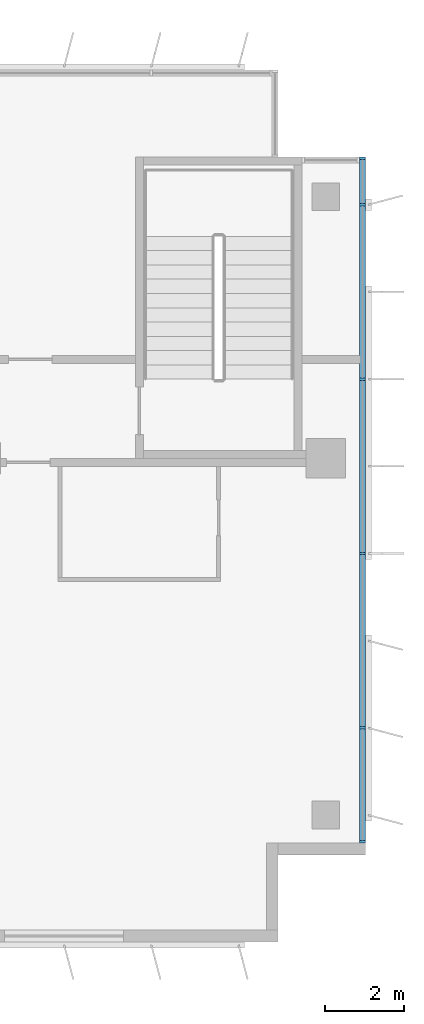
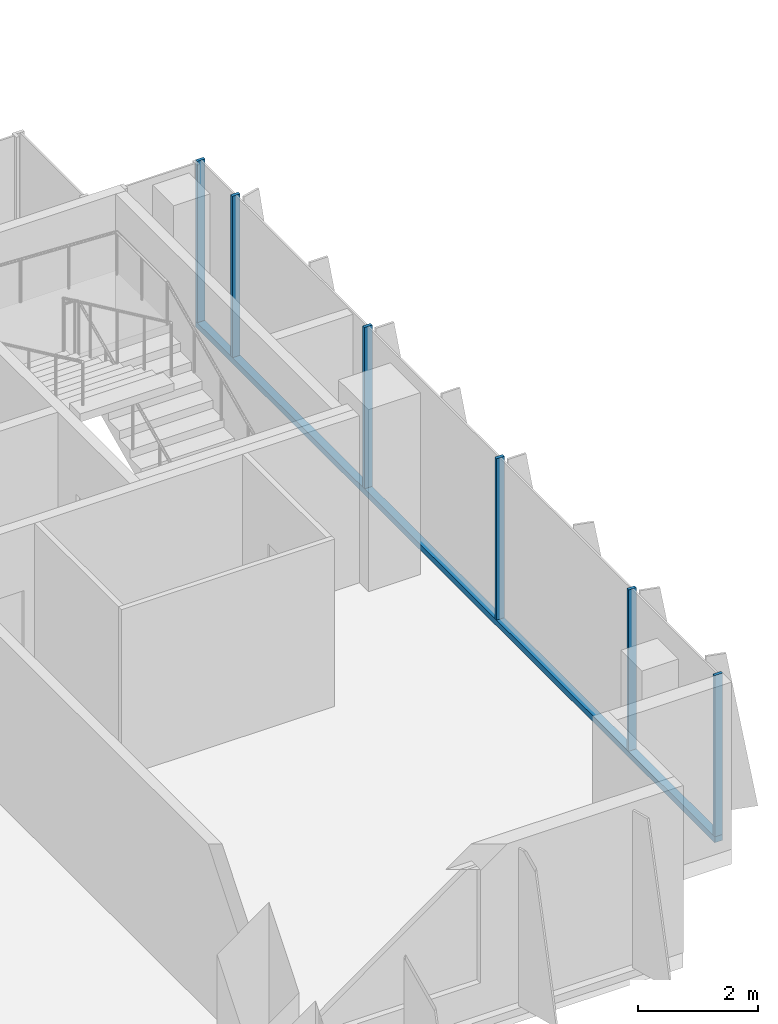
# One storey, part 8 of 21: 7 members, 1 element without a shape of its own.
"""IFC4 building model written with IfcOpenShell, lengths in metres."""

from ifc_helpers import new_model, si_unit, direction, frame, origin, origin_2d, place, context, subcontext, project, spatial, rectangle, extrude, source, transform, mapped, material, material_profile, profile_set, type_object, element, aggregate, save


model = new_model("IFC4")

# Units and contexts
model_context = context("Model", 3, precision=1e-05, world=origin(), true_north=direction((0.0, 1.0)))
body_context = subcontext(model_context, "Body", "Model", "MODEL_VIEW")
ifc_project = project(units=[si_unit("LENGTHUNIT", "METRE"), si_unit("AREAUNIT", "SQUARE_METRE"), si_unit("VOLUMEUNIT", "CUBIC_METRE"), si_unit("PLANEANGLEUNIT", "RADIAN"), si_unit("MASSUNIT", "GRAM", prefix="KILO")], contexts=[model_context])

# Site, building, storey
site_placement = place(None, origin())
site = spatial("IfcSite", under=ifc_project, at=site_placement, CompositionType="ELEMENT")
building_placement = place(site_placement, origin())
building = spatial("IfcBuilding", under=site, at=building_placement, Name="Kemantara Hotel Tower", CompositionType="ELEMENT")
storey_placement = place(building_placement, frame((0.0, 0.0, 164.199951171875)))
storey = spatial("IfcBuildingStorey", under=building, at=storey_placement, Name="L40", CompositionType="ELEMENT", Elevation=164.199951171875)

# Curtain wall, members
ifc_material_1 = material(Name="Low-E tinted double insulated glass 36 mm", Category="glass")
curtain_wall_type = type_object("IfcCurtainWallType", Name="TOWER CURTAIN WALL, FRONT FACES", PredefinedType="USERDEFINED", material=ifc_material_1)
curtain_wall_placement = place(storey_placement, origin())
curtain_wall = element("IfcCurtainWall", 1, at=curtain_wall_placement, inside=storey, type_object=curtain_wall_type, Name="CW4 L40 T3-R11-1", ObjectType="TOWER CURTAIN WALL, FRONT FACES", PredefinedType="USERDEFINED")
ifc_material_2 = material(Name="Aluminium 6063-T6 bronze anodised", Category="aluminium")
ifc_material_profile_1 = material_profile(ifc_material_2, rectangle(XDim=0.14990234375, YDim=0.1201171875, at=origin_2d()), Name="TOWER CURTAIN WALL, FRONT FACES TRANSOM")
ifc_profile_set_1 = profile_set([ifc_material_profile_1], Name="Aluminium 6063-T6 bronze anodised")
member_type_1 = type_object("IfcMemberType", Name="TOWER CURTAIN WALL, FRONT FACES TRANSOM", PredefinedType="USERDEFINED", material=ifc_profile_set_1)
member_1_placement = place(storey_placement, frame((63.52490234375, 2.5, 0.06005859375), z_axis=(0.0, 1.0, 0.0), x_axis=(-1.0, 0.0, 0.0)))
member_1 = element("IfcMember", 2, at=member_1_placement, type_object=member_type_1, Name="CW4 sill transom T3-R11-1", ObjectType="TRANSOM", PredefinedType="USERDEFINED", context=body_context, shape_type="SweptSolid", body=[
    extrude(rectangle(XDim=0.14990234375, YDim=0.1201171875, at=origin_2d()), origin(), (0.0, 0.0, 1.0), 17.300048828125),
])
ifc_material_profile_2 = material_profile(ifc_material_2, rectangle(XDim=0.14990234375, YDim=0.06005859375, at=origin_2d()), Name="TOWER CURTAIN WALL, FRONT FACES MULLION")
ifc_profile_set_2 = profile_set([ifc_material_profile_2], Name="Aluminium 6063-T6 bronze anodised")
member_type_2 = type_object("IfcMemberType", Name="TOWER CURTAIN WALL, FRONT FACES MULLION", PredefinedType="MULLION", material=ifc_profile_set_2)
shared_shape = source(origin(), body_context, "Body", "SweptSolid", [
    extrude(rectangle(XDim=0.14990234375, YDim=0.06005859375, at=origin_2d()), origin(), (0.0, 0.0, 1.0), 3.280029296875),
])
member_2_placement = place(storey_placement, frame((63.52490234375, 2.530029296875, 0.1201171875), z_axis=(0.0, 0.0, 1.0), x_axis=(-1.0, 0.0, 0.0)))
member_2 = element("IfcMember", 3, at=member_2_placement, type_object=member_type_2, Name="CW4 mullion T3-R11-1.1", PredefinedType="MULLION", context=body_context, shape_type="MappedRepresentation", body=[
    mapped(shared_shape, transform((0.0, 0.0, 0.0))),
])
member_3_placement = place(storey_placement, frame((63.52490234375, 5.39990234375, 0.1201171875), z_axis=(0.0, 0.0, 1.0), x_axis=(-1.0, 0.0, 0.0)))
member_3 = element("IfcMember", 4, at=member_3_placement, type_object=member_type_2, Name="CW4 mullion T3-R11-1.2", PredefinedType="MULLION", context=body_context, shape_type="MappedRepresentation", body=[
    mapped(shared_shape, transform((0.0, 0.0, 0.0))),
])
member_4_placement = place(storey_placement, frame((63.52490234375, 9.800048828125, 0.1201171875), z_axis=(0.0, 0.0, 1.0), x_axis=(-1.0, 0.0, 0.0)))
member_4 = element("IfcMember", 5, at=member_4_placement, type_object=member_type_2, Name="CW4 mullion T3-R11-1.3", PredefinedType="MULLION", context=body_context, shape_type="MappedRepresentation", body=[
    mapped(shared_shape, transform((0.0, 0.0, 0.0))),
])
member_5_placement = place(storey_placement, frame((63.52490234375, 14.199951171875, 0.1201171875), z_axis=(0.0, 0.0, 1.0), x_axis=(-1.0, 0.0, 0.0)))
member_5 = element("IfcMember", 6, at=member_5_placement, type_object=member_type_2, Name="CW4 mullion T3-R11-1.4", PredefinedType="MULLION", context=body_context, shape_type="MappedRepresentation", body=[
    mapped(shared_shape, transform((0.0, 0.0, 0.0))),
])
member_6_placement = place(storey_placement, frame((63.52490234375, 18.60009765625, 0.1201171875), z_axis=(0.0, 0.0, 1.0), x_axis=(-1.0, 0.0, 0.0)))
member_6 = element("IfcMember", 7, at=member_6_placement, type_object=member_type_2, Name="CW4 mullion T3-R11-1.5", PredefinedType="MULLION", context=body_context, shape_type="MappedRepresentation", body=[
    mapped(shared_shape, transform((0.0, 0.0, 0.0))),
])
member_7_placement = place(storey_placement, frame((63.52490234375, 19.77001953125, 0.1201171875), z_axis=(0.0, 0.0, 1.0), x_axis=(-1.0, 0.0, 0.0)))
member_7 = element("IfcMember", 8, at=member_7_placement, type_object=member_type_2, Name="CW4 mullion T3-R11-1.6", PredefinedType="MULLION", context=body_context, shape_type="MappedRepresentation", body=[
    mapped(shared_shape, transform((0.0, 0.0, 0.0))),
])
aggregate(curtain_wall, [member_1, member_2, member_3, member_4, member_5, member_6, member_7])

save(model, "model.ifc")
